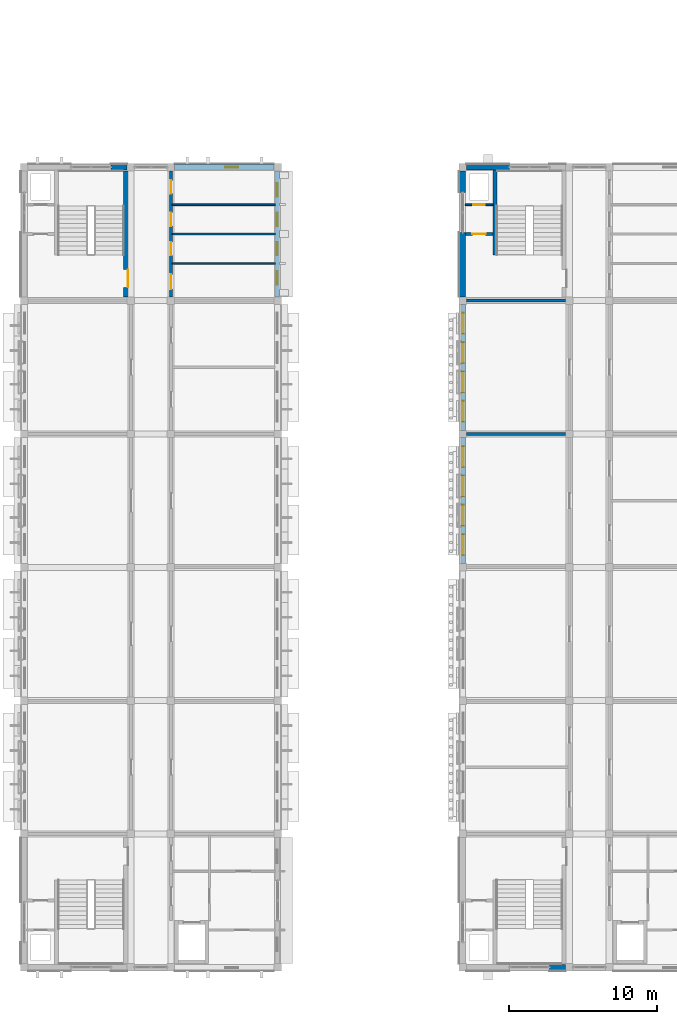
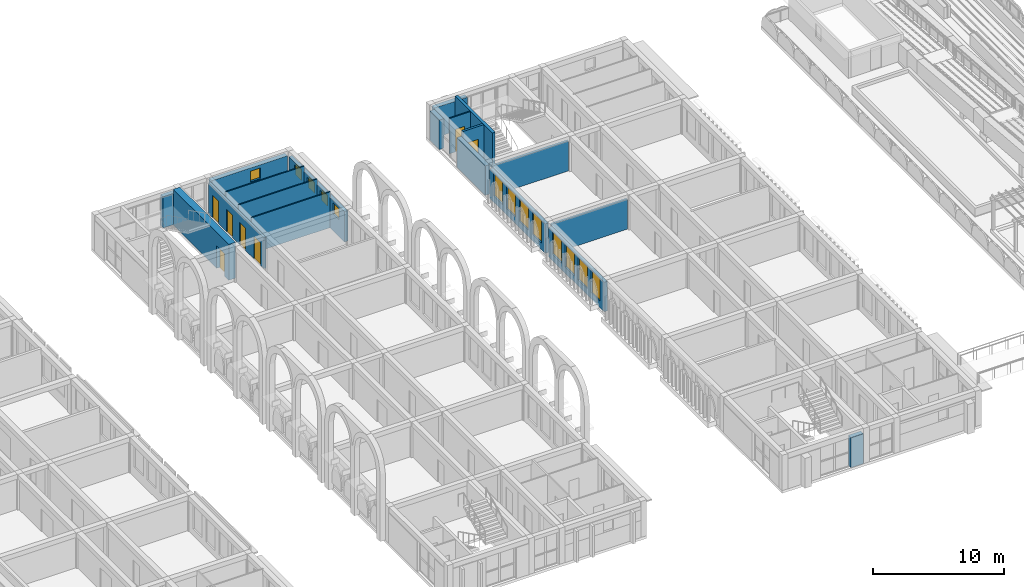
# One storey, part 42 of 70: 19 walls, 13 windows, 7 doors, 20 openings.
"""IFC4 building model written with IfcOpenShell, lengths in metres."""

from ifc_helpers import new_model, si_unit, direction, frame, frame_2d, origin, place, context, subcontext, project, spatial, rectangle, extrude, material, layer, layer_set, type_object, element, fill, save


model = new_model("IFC4")

# Units and contexts
model_context = context("Model", 3, precision=1e-05, world=origin(), true_north=direction((0.0, 1.0)))
body_context = subcontext(model_context, "Body", "Model", "MODEL_VIEW")
ifc_project = project(units=[si_unit("LENGTHUNIT", "METRE"), si_unit("AREAUNIT", "SQUARE_METRE"), si_unit("VOLUMEUNIT", "CUBIC_METRE"), si_unit("PLANEANGLEUNIT", "RADIAN"), si_unit("MASSUNIT", "GRAM", prefix="KILO")], contexts=[model_context])

# Site, building, storey
site_placement = place(None, origin())
site = spatial("IfcSite", under=ifc_project, at=site_placement, CompositionType="ELEMENT")
building_placement = place(site_placement, origin())
building = spatial("IfcBuilding", under=site, at=building_placement, Name="Elbe Cascade School", CompositionType="ELEMENT")
storey_placement = place(building_placement, frame((0.0, 0.0, 8.10009765625)))
storey = spatial("IfcBuildingStorey", under=building, at=storey_placement, Name="L02", CompositionType="ELEMENT", Elevation=8.10009765625)

# Wall
ifc_material_1 = material(Name="Masonry - lime-sand block, plastered", Category="masonry")
ifc_layer_1 = layer(ifc_material_1, 0.175048828125)
ifc_layer_set_1 = layer_set([ifc_layer_1], Name="Masonry - lime-sand block, plastered")
wall_type_1 = type_object("IfcWallType", Name="Bar classroom partition wall lime-sand block 175", PredefinedType="PARTITIONING", material=ifc_layer_set_1)
wall_1_placement = place(storey_placement, frame((128.449951171875, 42.0, 0.0), z_axis=(0.0, 0.0, 1.0), x_axis=(1.0, 0.0, 0.0)))
element("IfcWall", 1, at=wall_1_placement, inside=storey, type_object=wall_type_1, Name="Bar classroom partition wall lime-sand block 175", PredefinedType="PARTITIONING", context=body_context, shape_type="SweptSolid", body=[
    extrude(rectangle(XDim=6.699951171875, YDim=0.175048828125, at=frame_2d((3.35009765625, 0.0))), origin(), (0.0, 0.0, 1.0), 2.7998046875),
])

# Wall, openings, doors
ifc_material_2 = material(Name="Masonry - lime-sand block, plastered", Category="masonry")
ifc_layer_2 = layer(ifc_material_2, 0.199951171875)
ifc_layer_set_2 = layer_set([ifc_layer_2], Name="Masonry - lime-sand block, plastered")
wall_type_2 = type_object("IfcWallType", Name="Bar corridor wall lime-sand block 200 EI 30", PredefinedType="PARTITIONING", material=ifc_layer_set_2)
wall_2_placement = place(storey_placement, frame((108.5, 59.75, 0.0), z_axis=(0.0, 0.0, 1.0), x_axis=(0.0, -1.0, 0.0)))
wall_2 = element("IfcWall", 2, at=wall_2_placement, inside=storey, type_object=wall_type_2, Name="Bar corridor wall lime-sand block 200 EI 30", PredefinedType="PARTITIONING", context=body_context, shape_type="SweptSolid", body=[
    extrude(rectangle(XDim=8.5, YDim=0.199951171875, at=frame_2d((4.25, 0.0))), origin(), (0.0, 0.0, 1.0), 2.89990234375),
])
opening_1_placement = place(wall_2_placement, frame((6.96875, 0.0, 0.0)))
opening_1 = element("IfcOpeningElement", 3, at=opening_1_placement, cuts=wall_2, Name="Opening D2.047", PredefinedType="OPENING", context=body_context, shape_type="SweptSolid", body=[
    extrude(rectangle(XDim=1.0, YDim=2.10009765625, at=frame_2d((0.5, 1.050048828125))), frame((0.0, 0.10986328125, 0.0), z_axis=(0.0, -1.0, 0.0), x_axis=(1.0, 0.0, 0.0)), (0.0, 0.0, 1.0), 0.219970703125),
])
opening_2_placement = place(wall_2_placement, frame((4.7900390625, 0.0, 0.0)))
opening_2 = element("IfcOpeningElement", 4, at=opening_2_placement, cuts=wall_2, Name="Opening D2.049", PredefinedType="OPENING", context=body_context, shape_type="SweptSolid", body=[
    extrude(rectangle(XDim=0.89990234375, YDim=2.10009765625, at=frame_2d((0.449951171875, 1.050048828125))), frame((0.0, 0.10986328125, 0.0), z_axis=(0.0, -1.0, 0.0), x_axis=(1.0, 0.0, 0.0)), (0.0, 0.0, 1.0), 0.219970703125),
])
opening_3_placement = place(wall_2_placement, frame((2.81005859375, 0.0, 0.0)))
opening_3 = element("IfcOpeningElement", 5, at=opening_3_placement, cuts=wall_2, Name="Opening D2.051", PredefinedType="OPENING", context=body_context, shape_type="SweptSolid", body=[
    extrude(rectangle(XDim=0.89990234375, YDim=2.10009765625, at=frame_2d((0.449951171875, 1.050048828125))), frame((0.0, 0.10986328125, 0.0), z_axis=(0.0, -1.0, 0.0), x_axis=(1.0, 0.0, 0.0)), (0.0, 0.0, 1.0), 0.219970703125),
])
opening_4_placement = place(wall_2_placement, frame((0.62109375, 0.0, 0.0)))
opening_4 = element("IfcOpeningElement", 6, at=opening_4_placement, cuts=wall_2, Name="Opening D2.053", PredefinedType="OPENING", context=body_context, shape_type="SweptSolid", body=[
    extrude(rectangle(XDim=0.89990234375, YDim=2.10009765625, at=frame_2d((0.449951171875, 1.050048828125))), frame((0.0, 0.10986328125, 0.0), z_axis=(0.0, -1.0, 0.0), x_axis=(1.0, 0.0, 0.0)), (0.0, 0.0, 1.0), 0.219970703125),
])
ifc_material_3 = material(Name="Timber door leaf, fire-resisting, steel frame", Category="steel")
door_type_1 = type_object("IfcDoorType", Name="Bar door FD30 1000x2100", OperationType="NOTDEFINED", PredefinedType="DOOR", material=ifc_material_3)
door_1_placement = place(opening_1_placement, origin())
door_1 = element("IfcDoor", 7, at=door_1_placement, inside=storey, type_object=door_type_1, Name="Door B2.18", OperationType="SINGLE_SWING_LEFT", OverallHeight=2.10009765625, OverallWidth=1.0, PredefinedType="DOOR", context=body_context, shape_type="SweptSolid", body=[
    extrude(rectangle(XDim=1.0, YDim=2.10009765625, at=frame_2d((0.5, 1.050048828125))), frame((0.0, 0.02490234375, 0.0), z_axis=(0.0, -1.0, 0.0), x_axis=(1.0, 0.0, 0.0)), (0.0, 0.0, 1.0), 0.050048828125),
])
fill(opening_1, door_1)
ifc_material_4 = material(Name="Timber door leaf, fire-resisting, steel frame", Category="steel")
door_type_2 = type_object("IfcDoorType", Name="Bar door FD30 900x2100", OperationType="NOTDEFINED", PredefinedType="DOOR", material=ifc_material_4)
door_2_placement = place(opening_2_placement, origin())
door_2 = element("IfcDoor", 8, at=door_2_placement, inside=storey, type_object=door_type_2, Name="Door B2.17", OperationType="SINGLE_SWING_RIGHT", OverallHeight=2.10009765625, OverallWidth=0.89990234375, PredefinedType="DOOR", context=body_context, shape_type="SweptSolid", body=[
    extrude(rectangle(XDim=0.89990234375, YDim=2.10009765625, at=frame_2d((0.449951171875, 1.050048828125))), frame((0.0, 0.02490234375, 0.0), z_axis=(0.0, -1.0, 0.0), x_axis=(1.0, 0.0, 0.0)), (0.0, 0.0, 1.0), 0.050048828125),
])
fill(opening_2, door_2)
door_3_placement = place(opening_3_placement, origin())
door_3 = element("IfcDoor", 9, at=door_3_placement, inside=storey, type_object=door_type_2, Name="Door B2.16", OperationType="SINGLE_SWING_LEFT", OverallHeight=2.10009765625, OverallWidth=0.89990234375, PredefinedType="DOOR", context=body_context, shape_type="SweptSolid", body=[
    extrude(rectangle(XDim=0.89990234375, YDim=2.10009765625, at=frame_2d((0.449951171875, 1.050048828125))), frame((0.0, 0.02490234375, 0.0), z_axis=(0.0, -1.0, 0.0), x_axis=(1.0, 0.0, 0.0)), (0.0, 0.0, 1.0), 0.050048828125),
])
fill(opening_3, door_3)
door_4_placement = place(opening_4_placement, origin())
door_4 = element("IfcDoor", 10, at=door_4_placement, inside=storey, type_object=door_type_2, Name="Door B2.15", OperationType="SINGLE_SWING_RIGHT", OverallHeight=2.10009765625, OverallWidth=0.89990234375, PredefinedType="DOOR", context=body_context, shape_type="SweptSolid", body=[
    extrude(rectangle(XDim=0.89990234375, YDim=2.10009765625, at=frame_2d((0.449951171875, 1.050048828125))), frame((0.0, 0.02490234375, 0.0), z_axis=(0.0, -1.0, 0.0), x_axis=(1.0, 0.0, 0.0)), (0.0, 0.0, 1.0), 0.050048828125),
])
fill(opening_4, door_4)

# Walls
ifc_material_5 = material(Name="Masonry - lime-sand block, plastered", Category="masonry")
ifc_layer_3 = layer(ifc_material_5, 0.114990234375)
ifc_layer_set_3 = layer_set([ifc_layer_3], Name="Masonry - lime-sand block, plastered")
wall_type_3 = type_object("IfcWallType", Name="Bar light partition wall lime-sand block 115", PredefinedType="PARTITIONING", material=ifc_layer_set_3)
for number, where, z_axis, x_axis, name in (
    (11, (108.60009765625, 57.47998046875, 0.0), (0.0, 0.0, 1.0), (1.0, 0.0, 0.0), "Bar light partition wall lime-sand block 115"),
    (12, (108.60009765625, 55.5, 0.0), (0.0, 0.0, 1.0), (1.0, 0.0, 0.0), "Bar light partition wall lime-sand block 115"),
    (13, (108.60009765625, 53.52001953125, 0.0), (0.0, 0.0, 1.0), (1.0, 0.0, 0.0), "Bar light partition wall lime-sand block 115"),
):
    element("IfcWall", number, at=place(storey_placement, frame(where, z_axis=z_axis, x_axis=x_axis)), inside=storey, type_object=wall_type_3, Name=name, PredefinedType="PARTITIONING", context=body_context, shape_type="SweptSolid", body=[
        extrude(rectangle(XDim=6.949951171875, YDim=0.114990234375, at=frame_2d((3.47509765625, 0.0))), origin(), (0.0, 0.0, 1.0), 3.349853515625),
    ])

# Wall, opening, door
wall_3_placement = place(storey_placement, frame((128.3798828125, 57.47998046875, 0.0), z_axis=(0.0, 0.0, 1.0), x_axis=(1.0, 0.0, 0.0)))
wall_3 = element("IfcWall", 14, at=wall_3_placement, inside=storey, type_object=wall_type_3, Name="Bar light partition wall lime-sand block 115", PredefinedType="PARTITIONING", context=body_context, shape_type="SweptSolid", body=[
    extrude(rectangle(XDim=1.8701171875, YDim=0.114990234375, at=frame_2d((0.93505859375, 0.0))), origin(), (0.0, 0.0, 1.0), 3.2998046875),
])
opening_5_placement = place(wall_3_placement, frame((0.52001953125, 0.0, 0.0)))
opening_5 = element("IfcOpeningElement", 15, at=opening_5_placement, cuts=wall_3, Name="Opening D2.078", PredefinedType="OPENING", context=body_context, shape_type="SweptSolid", body=[
    extrude(rectangle(XDim=0.800048828125, YDim=2.10009765625, at=frame_2d((0.39990234375, 1.050048828125))), frame((0.0, 0.0673828125, 0.0), z_axis=(0.0, -1.0, 0.0), x_axis=(1.0, 0.0, 0.0)), (0.0, 0.0, 1.0), 0.135009765625),
])
ifc_material_6 = material(Name="Timber door leaf, steel frame", Category="steel")
door_type_3 = type_object("IfcDoorType", Name="Bar door 800x2100", OperationType="NOTDEFINED", PredefinedType="DOOR", material=ifc_material_6)
door_5_placement = place(opening_5_placement, origin())
door_5 = element("IfcDoor", 16, at=door_5_placement, inside=storey, type_object=door_type_3, Name="Door C2.14", OperationType="SINGLE_SWING_LEFT", OverallHeight=2.10009765625, OverallWidth=0.800048828125, PredefinedType="DOOR", context=body_context, shape_type="SweptSolid", body=[
    extrude(rectangle(XDim=0.800048828125, YDim=2.10009765625, at=frame_2d((0.39990234375, 1.050048828125))), frame((0.0, 0.02490234375, 0.0), z_axis=(0.0, -1.0, 0.0), x_axis=(1.0, 0.0, 0.0)), (0.0, 0.0, 1.0), 0.050048828125),
])
fill(opening_5, door_5)

# Wall
ifc_material_7 = material(Name="Concrete C30/37", Category="concrete")
ifc_layer_4 = layer(ifc_material_7, 0.25)
ifc_layer_set_4 = layer_set([ifc_layer_4], Name="Concrete C30/37")
wall_type_4 = type_object("IfcWallType", Name="Bar stair core wall RC 250", PredefinedType="SOLIDWALL", material=ifc_layer_set_4)
wall_4_placement = place(storey_placement, frame((130.375, 54.10009765625, 0.0), z_axis=(0.0, 0.0, 1.0), x_axis=(0.0, 1.0, 0.0)))
element("IfcWall", 17, at=wall_4_placement, inside=storey, type_object=wall_type_4, Name="Bar stair core wall RC 250", PredefinedType="SOLIDWALL", context=body_context, shape_type="SweptSolid", body=[
    extrude(rectangle(XDim=5.719970703125, YDim=0.25, at=frame_2d((2.85986328125, 0.0))), origin(), (0.0, 0.0, 1.0), 3.2998046875),
])

# Wall, opening, door
ifc_material_8 = material(Name="Concrete C30/37", Category="concrete")
ifc_layer_5 = layer(ifc_material_8, 0.60009765625)
ifc_layer_set_5 = layer_set([ifc_layer_5], Name="Concrete C30/37")
wall_type_5 = type_object("IfcWallType", Name="Bar stair core wall RC 600", PredefinedType="SOLIDWALL", material=ifc_layer_set_5)
wall_5_placement = place(storey_placement, frame((105.60009765625, 51.25, 0.0), z_axis=(0.0, 0.0, 1.0), x_axis=(0.0, 1.0, 0.0)))
wall_5 = element("IfcWall", 18, at=wall_5_placement, inside=storey, type_object=wall_type_5, Name="Bar stair core wall RC 600", PredefinedType="SOLIDWALL", context=body_context, shape_type="SweptSolid", body=[
    extrude(rectangle(XDim=8.5, YDim=0.60009765625, at=frame_2d((4.25, 0.0))), origin(), (0.0, 0.0, 1.0), 3.349853515625),
])
opening_6_placement = place(wall_5_placement, frame((0.64990234375, 0.0, 0.0)))
opening_6 = element("IfcOpeningElement", 19, at=opening_6_placement, cuts=wall_5, Name="Opening D2.048", PredefinedType="OPENING", context=body_context, shape_type="SweptSolid", body=[
    extrude(rectangle(XDim=1.199951171875, YDim=2.10009765625, at=frame_2d((0.60009765625, 1.050048828125))), frame((0.0, 0.31005859375, 0.0), z_axis=(0.0, -1.0, 0.0), x_axis=(1.0, 0.0, 0.0)), (0.0, 0.0, 1.0), 0.6201171875),
])
ifc_material_9 = material(Name="Timber door leaf, fire-resisting and smoke-tight, steel frame", Category="steel")
door_type_4 = type_object("IfcDoorType", Name="Bar door FD30S 1200x2100", OperationType="NOTDEFINED", PredefinedType="DOOR", material=ifc_material_9)
door_6_placement = place(opening_6_placement, origin())
door_6 = element("IfcDoor", 20, at=door_6_placement, inside=storey, type_object=door_type_4, Name="Door B2.12", OperationType="SINGLE_SWING_RIGHT", OverallHeight=2.10009765625, OverallWidth=1.199951171875, PredefinedType="DOOR", context=body_context, shape_type="SweptSolid", body=[
    extrude(rectangle(XDim=1.199951171875, YDim=2.10009765625, at=frame_2d((0.60009765625, 1.050048828125))), frame((0.0, 0.02490234375, 0.0), z_axis=(0.0, -1.0, 0.0), x_axis=(1.0, 0.0, 0.0)), (0.0, 0.0, 1.0), 0.050048828125),
])
fill(opening_6, door_6)

ifc_material_10 = material(Name="Concrete C30/37", Category="concrete")
ifc_layer_6 = layer(ifc_material_10, 0.199951171875)
ifc_layer_set_6 = layer_set([ifc_layer_6], Name="Concrete C30/37")
wall_type_6 = type_object("IfcWallType", Name="Bar stair lobby wall RC 200", PredefinedType="SOLIDWALL", material=ifc_layer_set_6)
wall_6_placement = place(storey_placement, frame((128.3798828125, 55.5, 0.0), z_axis=(0.0, 0.0, 1.0), x_axis=(1.0, 0.0, 0.0)))
wall_6 = element("IfcWall", 21, at=wall_6_placement, inside=storey, type_object=wall_type_6, Name="Bar stair lobby wall RC 200", PredefinedType="SOLIDWALL", context=body_context, shape_type="SweptSolid", body=[
    extrude(rectangle(XDim=1.8701171875, YDim=0.199951171875, at=frame_2d((0.93505859375, 0.0))), origin(), (0.0, 0.0, 1.0), 3.2998046875),
])
opening_7_placement = place(wall_6_placement, frame((0.469970703125, 0.0, 0.0)))
opening_7 = element("IfcOpeningElement", 22, at=opening_7_placement, cuts=wall_6, Name="Opening D2.076", PredefinedType="OPENING", context=body_context, shape_type="SweptSolid", body=[
    extrude(rectangle(XDim=0.89990234375, YDim=2.10009765625, at=frame_2d((0.449951171875, 1.050048828125))), frame((0.0, 0.10986328125, 0.0), z_axis=(0.0, -1.0, 0.0), x_axis=(1.0, 0.0, 0.0)), (0.0, 0.0, 1.0), 0.219970703125),
])
ifc_material_11 = material(Name="Timber door leaf, fire-resisting and smoke-tight, steel frame", Category="steel")
door_type_5 = type_object("IfcDoorType", Name="Bar door FD30S 900x2100", OperationType="NOTDEFINED", PredefinedType="DOOR", material=ifc_material_11)
door_7_placement = place(opening_7_placement, origin())
door_7 = element("IfcDoor", 23, at=door_7_placement, inside=storey, type_object=door_type_5, Name="Door C2.13", OperationType="SINGLE_SWING_RIGHT", OverallHeight=2.10009765625, OverallWidth=0.89990234375, PredefinedType="DOOR", context=body_context, shape_type="SweptSolid", body=[
    extrude(rectangle(XDim=0.89990234375, YDim=2.10009765625, at=frame_2d((0.449951171875, 1.050048828125))), frame((0.0, 0.02490234375, 0.0), z_axis=(0.0, -1.0, 0.0), x_axis=(1.0, 0.0, 0.0)), (0.0, 0.0, 1.0), 0.050048828125),
])
fill(opening_7, door_7)

# Wall
wall_7_placement = place(storey_placement, frame((128.449951171875, 51.0, 0.0), z_axis=(0.0, 0.0, 1.0), x_axis=(1.0, 0.0, 0.0)))
element("IfcWall", 24, at=wall_7_placement, inside=storey, type_object=wall_type_6, Name="Bar stair lobby wall RC 200", PredefinedType="SOLIDWALL", context=body_context, shape_type="SweptSolid", body=[
    extrude(rectangle(XDim=6.699951171875, YDim=0.199951171875, at=frame_2d((3.35009765625, 0.0))), origin(), (0.0, 0.0, 1.0), 2.7998046875),
])

# Wall, openings, windows
ifc_material_12 = material(Name="Brick masonry - red clinker, cavity wall with render backing", Category="masonry")
ifc_layer_7 = layer(ifc_material_12, 0.300048828125)
ifc_layer_set_7 = layer_set([ifc_layer_7], Name="Brick masonry - red clinker, cavity wall with render backing")
wall_type_7 = type_object("IfcWallType", Name="Bars envelope External wall - clinker brick cavity, 300 upper floors", PredefinedType="STANDARD", material=ifc_layer_set_7)
wall_8_placement = place(storey_placement, frame((115.669921875, 59.75, 0.0), z_axis=(0.0, 0.0, 1.0), x_axis=(0.0, -1.0, 0.0)))
wall_8 = element("IfcWall", 25, at=wall_8_placement, inside=storey, type_object=wall_type_7, Name="External wall W30 B.L02.e6", PredefinedType="STANDARD", context=body_context, shape_type="SweptSolid", body=[
    extrude(rectangle(XDim=8.5, YDim=0.300048828125, at=frame_2d((4.25, 0.0))), origin(), (0.0, 0.0, 1.0), 2.849853515625),
])
opening_8_placement = place(wall_8_placement, frame((6.77001953125, 0.0, 1.60009765625)))
opening_8 = element("IfcOpeningElement", 26, at=opening_8_placement, cuts=wall_8, Name="Opening W2.074", PredefinedType="OPENING", context=body_context, shape_type="SweptSolid", body=[
    extrude(rectangle(XDim=0.89990234375, YDim=1.0, at=frame_2d((0.449951171875, 0.5))), frame((0.0, 0.159912109375, 0.0), z_axis=(0.0, -1.0, 0.0), x_axis=(1.0, 0.0, 0.0)), (0.0, 0.0, 1.0), 0.320068359375),
])
opening_9_placement = place(wall_8_placement, frame((4.7900390625, 0.0, 1.60009765625)))
opening_9 = element("IfcOpeningElement", 27, at=opening_9_placement, cuts=wall_8, Name="Opening W2.075", PredefinedType="OPENING", context=body_context, shape_type="SweptSolid", body=[
    extrude(rectangle(XDim=0.89990234375, YDim=1.0, at=frame_2d((0.449951171875, 0.5))), frame((0.0, 0.159912109375, 0.0), z_axis=(0.0, -1.0, 0.0), x_axis=(1.0, 0.0, 0.0)), (0.0, 0.0, 1.0), 0.320068359375),
])
opening_10_placement = place(wall_8_placement, frame((2.81005859375, 0.0, 1.60009765625)))
opening_10 = element("IfcOpeningElement", 28, at=opening_10_placement, cuts=wall_8, Name="Opening W2.076", PredefinedType="OPENING", context=body_context, shape_type="SweptSolid", body=[
    extrude(rectangle(XDim=0.89990234375, YDim=1.0, at=frame_2d((0.449951171875, 0.5))), frame((0.0, 0.159912109375, 0.0), z_axis=(0.0, -1.0, 0.0), x_axis=(1.0, 0.0, 0.0)), (0.0, 0.0, 1.0), 0.320068359375),
])
opening_11_placement = place(wall_8_placement, frame((0.830078125, 0.0, 1.60009765625)))
opening_11 = element("IfcOpeningElement", 29, at=opening_11_placement, cuts=wall_8, Name="Opening W2.077", PredefinedType="OPENING", context=body_context, shape_type="SweptSolid", body=[
    extrude(rectangle(XDim=0.89990234375, YDim=1.0, at=frame_2d((0.449951171875, 0.5))), frame((0.0, 0.159912109375, 0.0), z_axis=(0.0, -1.0, 0.0), x_axis=(1.0, 0.0, 0.0)), (0.0, 0.0, 1.0), 0.320068359375),
])
ifc_material_13 = material(Name="Aluminium frame with double glazing, bronze anodised", Category="aluminium")
window_type_1 = type_object("IfcWindowType", Name="Bars envelope Window 900 x 1000, WC and service room, high level, aluminium double glazed", PartitioningType="SINGLE_PANEL", PredefinedType="WINDOW", material=ifc_material_13)
window_1_placement = place(opening_8_placement, origin())
window_1 = element("IfcWindow", 30, at=window_1_placement, inside=storey, type_object=window_type_1, Name="Window WN4 B.L02.e6.1", OverallHeight=1.0, OverallWidth=0.89990234375, PartitioningType="SINGLE_PANEL", PredefinedType="WINDOW", context=body_context, shape_type="SweptSolid", body=[
    extrude(rectangle(XDim=0.89990234375, YDim=1.0, at=frame_2d((0.449951171875, 0.5))), frame((0.0, 0.030029296875, 0.0), z_axis=(0.0, -1.0, 0.0), x_axis=(1.0, 0.0, 0.0)), (0.0, 0.0, 1.0), 0.06005859375),
])
fill(opening_8, window_1)
window_2_placement = place(opening_9_placement, origin())
window_2 = element("IfcWindow", 31, at=window_2_placement, inside=storey, type_object=window_type_1, Name="Window WN4 B.L02.e6.2", OverallHeight=1.0, OverallWidth=0.89990234375, PartitioningType="SINGLE_PANEL", PredefinedType="WINDOW", context=body_context, shape_type="SweptSolid", body=[
    extrude(rectangle(XDim=0.89990234375, YDim=1.0, at=frame_2d((0.449951171875, 0.5))), frame((0.0, 0.030029296875, 0.0), z_axis=(0.0, -1.0, 0.0), x_axis=(1.0, 0.0, 0.0)), (0.0, 0.0, 1.0), 0.06005859375),
])
fill(opening_9, window_2)
window_3_placement = place(opening_10_placement, origin())
window_3 = element("IfcWindow", 32, at=window_3_placement, inside=storey, type_object=window_type_1, Name="Window WN4 B.L02.e6.3", OverallHeight=1.0, OverallWidth=0.89990234375, PartitioningType="SINGLE_PANEL", PredefinedType="WINDOW", context=body_context, shape_type="SweptSolid", body=[
    extrude(rectangle(XDim=0.89990234375, YDim=1.0, at=frame_2d((0.449951171875, 0.5))), frame((0.0, 0.030029296875, 0.0), z_axis=(0.0, -1.0, 0.0), x_axis=(1.0, 0.0, 0.0)), (0.0, 0.0, 1.0), 0.06005859375),
])
fill(opening_10, window_3)
window_4_placement = place(opening_11_placement, origin())
window_4 = element("IfcWindow", 33, at=window_4_placement, inside=storey, type_object=window_type_1, Name="Window WN4 B.L02.e6.4", OverallHeight=1.0, OverallWidth=0.89990234375, PartitioningType="SINGLE_PANEL", PredefinedType="WINDOW", context=body_context, shape_type="SweptSolid", body=[
    extrude(rectangle(XDim=0.89990234375, YDim=1.0, at=frame_2d((0.449951171875, 0.5))), frame((0.0, 0.030029296875, 0.0), z_axis=(0.0, -1.0, 0.0), x_axis=(1.0, 0.0, 0.0)), (0.0, 0.0, 1.0), 0.06005859375),
])
fill(opening_11, window_4)

wall_9_placement = place(storey_placement, frame((128.22998046875, 33.25, 0.0), z_axis=(0.0, 0.0, 1.0), x_axis=(0.0, 1.0, 0.0)))
wall_9 = element("IfcWall", 34, at=wall_9_placement, inside=storey, type_object=wall_type_7, Name="External wall W30 C.L02.w4", PredefinedType="STANDARD", context=body_context, shape_type="SweptSolid", body=[
    extrude(rectangle(XDim=8.5, YDim=0.300048828125, at=frame_2d((4.25, 0.0))), origin(), (0.0, 0.0, 1.0), 2.75),
])
opening_12_placement = place(wall_9_placement, frame((0.580078125, 0.0, 0.60009765625)))
opening_12 = element("IfcOpeningElement", 35, at=opening_12_placement, cuts=wall_9, Name="Opening W2.098", PredefinedType="OPENING", context=body_context, shape_type="SweptSolid", body=[
    extrude(rectangle(XDim=1.39990234375, YDim=2.10009765625, at=frame_2d((0.699951171875, 1.050048828125))), frame((0.0, 0.159912109375, 0.0), z_axis=(0.0, -1.0, 0.0), x_axis=(1.0, 0.0, 0.0)), (0.0, 0.0, 1.0), 0.320068359375),
])
opening_13_placement = place(wall_9_placement, frame((2.56005859375, 0.0, 0.60009765625)))
opening_13 = element("IfcOpeningElement", 36, at=opening_13_placement, cuts=wall_9, Name="Opening W2.100", PredefinedType="OPENING", context=body_context, shape_type="SweptSolid", body=[
    extrude(rectangle(XDim=1.39990234375, YDim=2.10009765625, at=frame_2d((0.699951171875, 1.050048828125))), frame((0.0, 0.159912109375, 0.0), z_axis=(0.0, -1.0, 0.0), x_axis=(1.0, 0.0, 0.0)), (0.0, 0.0, 1.0), 0.320068359375),
])
opening_14_placement = place(wall_9_placement, frame((4.5400390625, 0.0, 0.60009765625)))
opening_14 = element("IfcOpeningElement", 37, at=opening_14_placement, cuts=wall_9, Name="Opening W2.102", PredefinedType="OPENING", context=body_context, shape_type="SweptSolid", body=[
    extrude(rectangle(XDim=1.39990234375, YDim=2.10009765625, at=frame_2d((0.699951171875, 1.050048828125))), frame((0.0, 0.159912109375, 0.0), z_axis=(0.0, -1.0, 0.0), x_axis=(1.0, 0.0, 0.0)), (0.0, 0.0, 1.0), 0.320068359375),
])
opening_15_placement = place(wall_9_placement, frame((6.52001953125, 0.0, 0.60009765625)))
opening_15 = element("IfcOpeningElement", 38, at=opening_15_placement, cuts=wall_9, Name="Opening W2.104", PredefinedType="OPENING", context=body_context, shape_type="SweptSolid", body=[
    extrude(rectangle(XDim=1.39990234375, YDim=2.10009765625, at=frame_2d((0.699951171875, 1.050048828125))), frame((0.0, 0.159912109375, 0.0), z_axis=(0.0, -1.0, 0.0), x_axis=(1.0, 0.0, 0.0)), (0.0, 0.0, 1.0), 0.320068359375),
])
ifc_material_14 = material(Name="Aluminium frame with double glazing, bronze anodised", Category="aluminium")
window_type_2 = type_object("IfcWindowType", Name="Bars envelope Window 1400 x 2100, classroom, aluminium double glazed", PartitioningType="DOUBLE_PANEL_VERTICAL", PredefinedType="WINDOW", material=ifc_material_14)
window_5_placement = place(opening_12_placement, origin())
window_5 = element("IfcWindow", 39, at=window_5_placement, inside=storey, type_object=window_type_2, Name="Window WN8 C.L02.w4.1", OverallHeight=2.10009765625, OverallWidth=1.39990234375, PartitioningType="DOUBLE_PANEL_VERTICAL", PredefinedType="WINDOW", context=body_context, shape_type="SweptSolid", body=[
    extrude(rectangle(XDim=1.39990234375, YDim=2.10009765625, at=frame_2d((0.699951171875, 1.050048828125))), frame((0.0, 0.030029296875, 0.0), z_axis=(0.0, -1.0, 0.0), x_axis=(1.0, 0.0, 0.0)), (0.0, 0.0, 1.0), 0.06005859375),
])
fill(opening_12, window_5)
window_6_placement = place(opening_13_placement, origin())
window_6 = element("IfcWindow", 40, at=window_6_placement, inside=storey, type_object=window_type_2, Name="Window WN8 C.L02.w4.2", OverallHeight=2.10009765625, OverallWidth=1.39990234375, PartitioningType="DOUBLE_PANEL_VERTICAL", PredefinedType="WINDOW", context=body_context, shape_type="SweptSolid", body=[
    extrude(rectangle(XDim=1.39990234375, YDim=2.10009765625, at=frame_2d((0.699951171875, 1.050048828125))), frame((0.0, 0.030029296875, 0.0), z_axis=(0.0, -1.0, 0.0), x_axis=(1.0, 0.0, 0.0)), (0.0, 0.0, 1.0), 0.06005859375),
])
fill(opening_13, window_6)
window_7_placement = place(opening_14_placement, origin())
window_7 = element("IfcWindow", 41, at=window_7_placement, inside=storey, type_object=window_type_2, Name="Window WN8 C.L02.w4.3", OverallHeight=2.10009765625, OverallWidth=1.39990234375, PartitioningType="DOUBLE_PANEL_VERTICAL", PredefinedType="WINDOW", context=body_context, shape_type="SweptSolid", body=[
    extrude(rectangle(XDim=1.39990234375, YDim=2.10009765625, at=frame_2d((0.699951171875, 1.050048828125))), frame((0.0, 0.030029296875, 0.0), z_axis=(0.0, -1.0, 0.0), x_axis=(1.0, 0.0, 0.0)), (0.0, 0.0, 1.0), 0.06005859375),
])
fill(opening_14, window_7)
window_8_placement = place(opening_15_placement, origin())
window_8 = element("IfcWindow", 42, at=window_8_placement, inside=storey, type_object=window_type_2, Name="Window WN8 C.L02.w4.4", OverallHeight=2.10009765625, OverallWidth=1.39990234375, PartitioningType="DOUBLE_PANEL_VERTICAL", PredefinedType="WINDOW", context=body_context, shape_type="SweptSolid", body=[
    extrude(rectangle(XDim=1.39990234375, YDim=2.10009765625, at=frame_2d((0.699951171875, 1.050048828125))), frame((0.0, 0.030029296875, 0.0), z_axis=(0.0, -1.0, 0.0), x_axis=(1.0, 0.0, 0.0)), (0.0, 0.0, 1.0), 0.06005859375),
])
fill(opening_15, window_8)

wall_10_placement = place(storey_placement, frame((128.22998046875, 42.25, 0.0), z_axis=(0.0, 0.0, 1.0), x_axis=(0.0, 1.0, 0.0)))
wall_10 = element("IfcWall", 43, at=wall_10_placement, inside=storey, type_object=wall_type_7, Name="External wall W30 C.L02.w5", PredefinedType="STANDARD", context=body_context, shape_type="SweptSolid", body=[
    extrude(rectangle(XDim=8.5, YDim=0.300048828125, at=frame_2d((4.25, 0.0))), origin(), (0.0, 0.0, 1.0), 2.75),
])
opening_16_placement = place(wall_10_placement, frame((0.580078125, 0.0, 0.60009765625)))
opening_16 = element("IfcOpeningElement", 44, at=opening_16_placement, cuts=wall_10, Name="Opening W2.106", PredefinedType="OPENING", context=body_context, shape_type="SweptSolid", body=[
    extrude(rectangle(XDim=1.39990234375, YDim=2.10009765625, at=frame_2d((0.699951171875, 1.050048828125))), frame((0.0, 0.159912109375, 0.0), z_axis=(0.0, -1.0, 0.0), x_axis=(1.0, 0.0, 0.0)), (0.0, 0.0, 1.0), 0.320068359375),
])
opening_17_placement = place(wall_10_placement, frame((2.56005859375, 0.0, 0.60009765625)))
opening_17 = element("IfcOpeningElement", 45, at=opening_17_placement, cuts=wall_10, Name="Opening W2.108", PredefinedType="OPENING", context=body_context, shape_type="SweptSolid", body=[
    extrude(rectangle(XDim=1.39990234375, YDim=2.10009765625, at=frame_2d((0.699951171875, 1.050048828125))), frame((0.0, 0.159912109375, 0.0), z_axis=(0.0, -1.0, 0.0), x_axis=(1.0, 0.0, 0.0)), (0.0, 0.0, 1.0), 0.320068359375),
])
opening_18_placement = place(wall_10_placement, frame((4.5400390625, 0.0, 0.60009765625)))
opening_18 = element("IfcOpeningElement", 46, at=opening_18_placement, cuts=wall_10, Name="Opening W2.110", PredefinedType="OPENING", context=body_context, shape_type="SweptSolid", body=[
    extrude(rectangle(XDim=1.39990234375, YDim=2.10009765625, at=frame_2d((0.699951171875, 1.050048828125))), frame((0.0, 0.159912109375, 0.0), z_axis=(0.0, -1.0, 0.0), x_axis=(1.0, 0.0, 0.0)), (0.0, 0.0, 1.0), 0.320068359375),
])
opening_19_placement = place(wall_10_placement, frame((6.52001953125, 0.0, 0.60009765625)))
opening_19 = element("IfcOpeningElement", 47, at=opening_19_placement, cuts=wall_10, Name="Opening W2.112", PredefinedType="OPENING", context=body_context, shape_type="SweptSolid", body=[
    extrude(rectangle(XDim=1.39990234375, YDim=2.10009765625, at=frame_2d((0.699951171875, 1.050048828125))), frame((0.0, 0.159912109375, 0.0), z_axis=(0.0, -1.0, 0.0), x_axis=(1.0, 0.0, 0.0)), (0.0, 0.0, 1.0), 0.320068359375),
])
window_9_placement = place(opening_16_placement, origin())
window_9 = element("IfcWindow", 48, at=window_9_placement, inside=storey, type_object=window_type_2, Name="Window WN8 C.L02.w5.1", OverallHeight=2.10009765625, OverallWidth=1.39990234375, PartitioningType="DOUBLE_PANEL_VERTICAL", PredefinedType="WINDOW", context=body_context, shape_type="SweptSolid", body=[
    extrude(rectangle(XDim=1.39990234375, YDim=2.10009765625, at=frame_2d((0.699951171875, 1.050048828125))), frame((0.0, 0.030029296875, 0.0), z_axis=(0.0, -1.0, 0.0), x_axis=(1.0, 0.0, 0.0)), (0.0, 0.0, 1.0), 0.06005859375),
])
fill(opening_16, window_9)
window_10_placement = place(opening_17_placement, origin())
window_10 = element("IfcWindow", 49, at=window_10_placement, inside=storey, type_object=window_type_2, Name="Window WN8 C.L02.w5.2", OverallHeight=2.10009765625, OverallWidth=1.39990234375, PartitioningType="DOUBLE_PANEL_VERTICAL", PredefinedType="WINDOW", context=body_context, shape_type="SweptSolid", body=[
    extrude(rectangle(XDim=1.39990234375, YDim=2.10009765625, at=frame_2d((0.699951171875, 1.050048828125))), frame((0.0, 0.030029296875, 0.0), z_axis=(0.0, -1.0, 0.0), x_axis=(1.0, 0.0, 0.0)), (0.0, 0.0, 1.0), 0.06005859375),
])
fill(opening_17, window_10)
window_11_placement = place(opening_18_placement, origin())
window_11 = element("IfcWindow", 50, at=window_11_placement, inside=storey, type_object=window_type_2, Name="Window WN8 C.L02.w5.3", OverallHeight=2.10009765625, OverallWidth=1.39990234375, PartitioningType="DOUBLE_PANEL_VERTICAL", PredefinedType="WINDOW", context=body_context, shape_type="SweptSolid", body=[
    extrude(rectangle(XDim=1.39990234375, YDim=2.10009765625, at=frame_2d((0.699951171875, 1.050048828125))), frame((0.0, 0.030029296875, 0.0), z_axis=(0.0, -1.0, 0.0), x_axis=(1.0, 0.0, 0.0)), (0.0, 0.0, 1.0), 0.06005859375),
])
fill(opening_18, window_11)
window_12_placement = place(opening_19_placement, origin())
window_12 = element("IfcWindow", 51, at=window_12_placement, inside=storey, type_object=window_type_2, Name="Window WN8 C.L02.w5.4", OverallHeight=2.10009765625, OverallWidth=1.39990234375, PartitioningType="DOUBLE_PANEL_VERTICAL", PredefinedType="WINDOW", context=body_context, shape_type="SweptSolid", body=[
    extrude(rectangle(XDim=1.39990234375, YDim=2.10009765625, at=frame_2d((0.699951171875, 1.050048828125))), frame((0.0, 0.030029296875, 0.0), z_axis=(0.0, -1.0, 0.0), x_axis=(1.0, 0.0, 0.0)), (0.0, 0.0, 1.0), 0.06005859375),
])
fill(opening_19, window_12)

# Wall
ifc_material_15 = material(Name="Brick masonry - red clinker, solid, sandstone-faced", Category="masonry")
ifc_layer_8 = layer(ifc_material_15, 0.39990234375)
ifc_layer_set_8 = layer_set([ifc_layer_8], Name="Brick masonry - red clinker, solid, sandstone-faced")
wall_type_8 = type_object("IfcWallType", Name="Bars envelope External wall - solid masonry core strip, sandstone faced, 400", PredefinedType="STANDARD", material=ifc_layer_set_8)
wall_11_placement = place(storey_placement, frame((104.449951171875, 60.02001953125, 0.0), z_axis=(0.0, 0.0, 1.0), x_axis=(1.0, 0.0, 0.0)))
element("IfcWall", 52, at=wall_11_placement, inside=storey, type_object=wall_type_8, Name="External wall W31 B.L02.n1b", PredefinedType="STANDARD", context=body_context, shape_type="SweptSolid", body=[
    extrude(rectangle(XDim=1.10009765625, YDim=0.39990234375, at=frame_2d((0.550048828125, 0.0))), origin(), (0.0, 0.0, 1.0), 2.89990234375),
])

# Wall, opening, window
wall_12_placement = place(storey_placement, frame((108.75, 60.02001953125, 0.0), z_axis=(0.0, 0.0, 1.0), x_axis=(1.0, 0.0, 0.0)))
wall_12 = element("IfcWall", 53, at=wall_12_placement, inside=storey, type_object=wall_type_8, Name="External wall W31 B.L02.n3", PredefinedType="STANDARD", context=body_context, shape_type="SweptSolid", body=[
    extrude(rectangle(XDim=6.699951171875, YDim=0.39990234375, at=frame_2d((3.35009765625, 0.0))), origin(), (0.0, 0.0, 1.0), 2.89990234375),
])
opening_20_placement = place(wall_12_placement, frame((3.39990234375, 0.0, 1.60009765625)))
opening_20 = element("IfcOpeningElement", 54, at=opening_20_placement, cuts=wall_12, Name="Opening W2.078", PredefinedType="OPENING", context=body_context, shape_type="SweptSolid", body=[
    extrude(rectangle(XDim=0.89990234375, YDim=1.0, at=frame_2d((0.449951171875, 0.5))), frame((0.0, 0.2099609375, 0.0), z_axis=(0.0, -1.0, 0.0), x_axis=(1.0, 0.0, 0.0)), (0.0, 0.0, 1.0), 0.419921875),
])
window_13_placement = place(opening_20_placement, origin())
window_13 = element("IfcWindow", 55, at=window_13_placement, inside=storey, type_object=window_type_1, Name="Window WN4 B.L02.n3.1", OverallHeight=1.0, OverallWidth=0.89990234375, PartitioningType="SINGLE_PANEL", PredefinedType="WINDOW", context=body_context, shape_type="SweptSolid", body=[
    extrude(rectangle(XDim=0.89990234375, YDim=1.0, at=frame_2d((0.449951171875, 0.5))), frame((0.0, 0.030029296875, 0.0), z_axis=(0.0, -1.0, 0.0), x_axis=(1.0, 0.0, 0.0)), (0.0, 0.0, 1.0), 0.06005859375),
])
fill(opening_20, window_13)

# Walls
wall_13_placement = place(storey_placement, frame((128.179931640625, 51.25, 0.0), z_axis=(0.0, 0.0, 1.0), x_axis=(0.0, 1.0, 0.0)))
element("IfcWall", 56, at=wall_13_placement, inside=storey, type_object=wall_type_8, Name="External wall W31 C.L02.w6a", PredefinedType="STANDARD", context=body_context, shape_type="SweptSolid", body=[
    extrude(rectangle(XDim=4.360107421875, YDim=0.39990234375, at=frame_2d((2.18017578125, 0.0))), origin(), (0.0, 0.0, 1.0), 2.75),
])
wall_14_placement = place(storey_placement, frame((128.179931640625, 58.31005859375, 0.0), z_axis=(0.0, 0.0, 1.0), x_axis=(0.0, 1.0, 0.0)))
element("IfcWall", 57, at=wall_14_placement, inside=storey, type_object=wall_type_8, Name="External wall W31 C.L02.w6b", PredefinedType="STANDARD", context=body_context, shape_type="SweptSolid", body=[
    extrude(rectangle(XDim=1.43994140625, YDim=0.39990234375, at=frame_2d((0.719970703125, 0.0))), origin(), (0.0, 0.0, 1.0), 2.75),
])
wall_15_placement = place(storey_placement, frame((135.14990234375, 5.97998046875, 0.0), z_axis=(0.0, 0.0, 1.0), x_axis=(-1.0, 0.0, 0.0)))
element("IfcWall", 58, at=wall_15_placement, inside=storey, type_object=wall_type_8, Name="External wall W31 C.L02.s1b", PredefinedType="STANDARD", context=body_context, shape_type="SweptSolid", body=[
    extrude(rectangle(XDim=1.099853515625, YDim=0.39990234375, at=frame_2d((0.5498046875, 0.0))), origin(), (0.0, 0.0, 1.0), 2.7998046875),
])
wall_16_placement = place(storey_placement, frame((128.449951171875, 60.02001953125, 0.0), z_axis=(0.0, 0.0, 1.0), x_axis=(1.0, 0.0, 0.0)))
element("IfcWall", 59, at=wall_16_placement, inside=storey, type_object=wall_type_8, Name="External wall W31 C.L02.n1a", PredefinedType="STANDARD", context=body_context, shape_type="SweptSolid", body=[
    extrude(rectangle(XDim=2.900146484375, YDim=0.39990234375, at=frame_2d((1.4501953125, 0.0))), origin(), (0.0, 0.0, 1.0), 2.7998046875),
])

save(model, "model.ifc")
